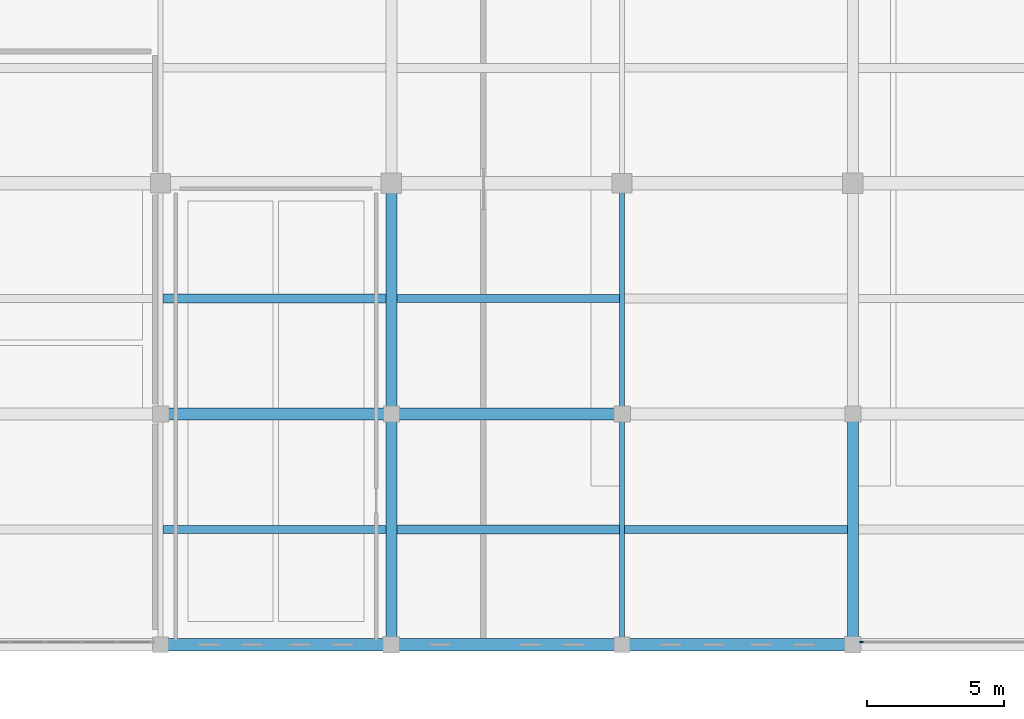
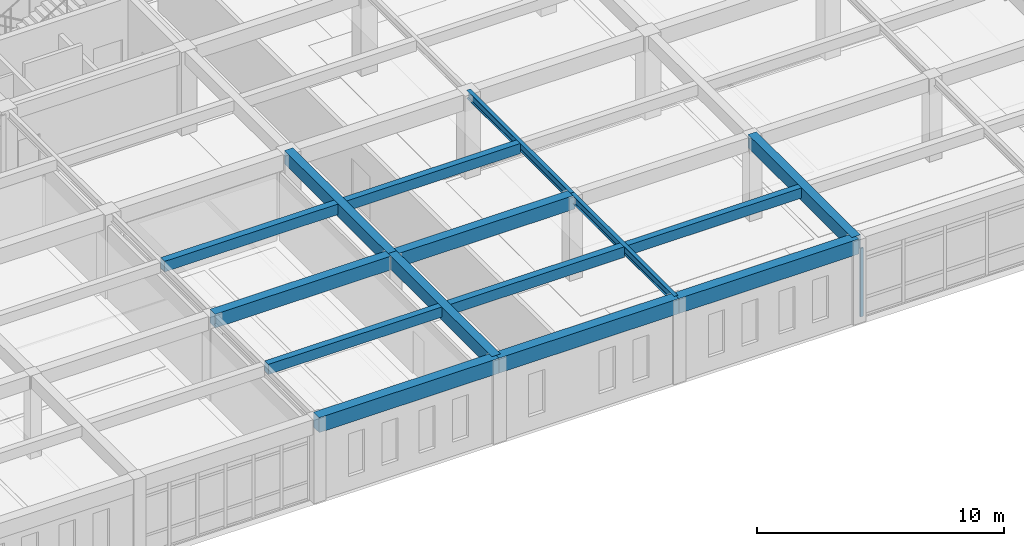
# One storey, part 100 of 192: 15 beams, 1 member, 1 element without a shape of its own.
"""IFC4 building model written with IfcOpenShell, lengths in metres."""

from ifc_helpers import new_model, si_unit, direction, frame, origin, origin_2d, place, context, subcontext, project, spatial, rectangle, i_section, extrude, material, layer, layer_set, material_profile, profile_set, type_object, element, aggregate, save


model = new_model("IFC4")

# Units and contexts
model_context = context("Model", 3, precision=1e-05, world=origin(), true_north=direction((0.0, 1.0)))
body_context = subcontext(model_context, "Body", "Model", "MODEL_VIEW")
ifc_project = project(units=[si_unit("LENGTHUNIT", "METRE"), si_unit("AREAUNIT", "SQUARE_METRE"), si_unit("VOLUMEUNIT", "CUBIC_METRE"), si_unit("PLANEANGLEUNIT", "RADIAN"), si_unit("MASSUNIT", "GRAM", prefix="KILO")], contexts=[model_context])

# Site, building, storey
site_placement = place(None, origin())
site = spatial("IfcSite", under=ifc_project, at=site_placement, CompositionType="ELEMENT")
building_placement = place(site_placement, origin())
building = spatial("IfcBuilding", under=site, at=building_placement, Name="Kveldsbrygga Polytechnic", CompositionType="ELEMENT")
storey_placement = place(building_placement, frame((0.0, 0.0, 5.43994140625)))
storey = spatial("IfcBuildingStorey", under=building, at=storey_placement, Name="L01", CompositionType="ELEMENT", Elevation=5.43994140625)

# Beams
ifc_material_1 = material(Name="Concrete C35/45", Category="concrete")
ifc_material_profile_1 = material_profile(ifc_material_1, rectangle(XDim=0.39990234375, YDim=0.64990234375, at=origin_2d()), Name="RC 400x650")
ifc_profile_set_1 = profile_set([ifc_material_profile_1], Name="Concrete C35/45")
beam_type_1 = type_object("IfcBeamType", Name="BM-RC-400x650", PredefinedType="BEAM", material=ifc_profile_set_1)
beam_1_placement = place(storey_placement, frame((134.39990234375, 0.0, 3.795166015625), z_axis=(0.0, 1.0, 0.0), x_axis=(-1.0, 0.0, 0.0)))
element("IfcBeam", 1, at=beam_1_placement, inside=storey, type_object=beam_type_1, Name="Primary Beam BMY-L01-16-00to01", PredefinedType="BEAM", context=body_context, shape_type="SweptSolid", body=[
    extrude(rectangle(XDim=0.39990234375, YDim=0.64990234375, at=origin_2d()), origin(), (0.0, 0.0, 1.0), 8.39990234375),
])
beam_2_placement = place(storey_placement, frame((134.39990234375, 8.39990234375, 3.795166015625), z_axis=(0.0, 1.0, 0.0), x_axis=(-1.0, 0.0, 0.0)))
element("IfcBeam", 2, at=beam_2_placement, inside=storey, type_object=beam_type_1, Name="Primary Beam BMY-L01-16-01to02", PredefinedType="BEAM", context=body_context, shape_type="SweptSolid", body=[
    extrude(rectangle(XDim=0.39990234375, YDim=0.64990234375, at=origin_2d()), origin(), (0.0, 0.0, 1.0), 8.400146484375),
])
beam_3_placement = place(storey_placement, frame((151.199951171875, 0.0, 3.795166015625), z_axis=(0.0, 1.0, 0.0), x_axis=(-1.0, 0.0, 0.0)))
element("IfcBeam", 3, at=beam_3_placement, inside=storey, type_object=beam_type_1, Name="Primary Beam BMY-L01-18-00to01", PredefinedType="BEAM", context=body_context, shape_type="SweptSolid", body=[
    extrude(rectangle(XDim=0.39990234375, YDim=0.64990234375, at=origin_2d()), origin(), (0.0, 0.0, 1.0), 8.39990234375),
])
ifc_material_profile_2 = material_profile(ifc_material_1, rectangle(XDim=0.419921875, YDim=0.679931640625, at=origin_2d()), Name="RC 420x680")
ifc_profile_set_2 = profile_set([ifc_material_profile_2], Name="Concrete C35/45")
beam_type_2 = type_object("IfcBeamType", Name="BM-RC-420x680", PredefinedType="BEAM", material=ifc_profile_set_2)
beam_4_placement = place(storey_placement, frame((126.0, 8.39990234375, 3.780029296875), z_axis=(1.0, 0.0, 0.0), x_axis=(0.0, 1.0, 0.0)))
element("IfcBeam", 4, at=beam_4_placement, inside=storey, type_object=beam_type_2, Name="Primary Beam BMX-L01-15to16-01", PredefinedType="BEAM", context=body_context, shape_type="SweptSolid", body=[
    extrude(rectangle(XDim=0.419921875, YDim=0.679931640625, at=origin_2d()), origin(), (0.0, 0.0, 1.0), 8.39990234375),
])
beam_5_placement = place(storey_placement, frame((134.39990234375, 8.39990234375, 3.780029296875), z_axis=(1.0, 0.0, 0.0), x_axis=(0.0, 1.0, 0.0)))
element("IfcBeam", 5, at=beam_5_placement, inside=storey, type_object=beam_type_2, Name="Primary Beam BMX-L01-16to17-01", PredefinedType="BEAM", context=body_context, shape_type="SweptSolid", body=[
    extrude(rectangle(XDim=0.419921875, YDim=0.679931640625, at=origin_2d()), origin(), (0.0, 0.0, 1.0), 8.400146484375),
])
ifc_material_profile_3 = material_profile(ifc_material_1, rectangle(XDim=0.4599609375, YDim=0.739990234375, at=origin_2d()), Name="RC 460x740")
ifc_profile_set_3 = profile_set([ifc_material_profile_3], Name="Concrete C35/45")
beam_type_3 = type_object("IfcBeamType", Name="BM-RC-460x740", PredefinedType="BEAM", material=ifc_profile_set_3)
beam_6_placement = place(storey_placement, frame((126.0, 0.0, 3.75), z_axis=(1.0, 0.0, 0.0), x_axis=(0.0, 1.0, 0.0)))
element("IfcBeam", 6, at=beam_6_placement, inside=storey, type_object=beam_type_3, Name="Primary Beam BMX-L01-15to16-00", PredefinedType="BEAM", context=body_context, shape_type="SweptSolid", body=[
    extrude(rectangle(XDim=0.4599609375, YDim=0.739990234375, at=origin_2d()), origin(), (0.0, 0.0, 1.0), 8.39990234375),
])
beam_7_placement = place(storey_placement, frame((134.39990234375, 0.0, 3.75), z_axis=(1.0, 0.0, 0.0), x_axis=(0.0, 1.0, 0.0)))
element("IfcBeam", 7, at=beam_7_placement, inside=storey, type_object=beam_type_3, Name="Primary Beam BMX-L01-16to17-00", PredefinedType="BEAM", context=body_context, shape_type="SweptSolid", body=[
    extrude(rectangle(XDim=0.4599609375, YDim=0.739990234375, at=origin_2d()), origin(), (0.0, 0.0, 1.0), 8.400146484375),
])
beam_8_placement = place(storey_placement, frame((142.800048828125, 0.0, 3.75), z_axis=(1.0, 0.0, 0.0), x_axis=(0.0, 1.0, 0.0)))
element("IfcBeam", 8, at=beam_8_placement, inside=storey, type_object=beam_type_3, Name="Primary Beam BMX-L01-17to18-00", PredefinedType="BEAM", context=body_context, shape_type="SweptSolid", body=[
    extrude(rectangle(XDim=0.4599609375, YDim=0.739990234375, at=origin_2d()), origin(), (0.0, 0.0, 1.0), 8.39990234375),
])
ifc_material_2 = material(Name="Steel S355", Category="steel")
ifc_material_profile_4 = material_profile(ifc_material_2, i_section(OverallWidth=0.179931640625, OverallDepth=0.39990234375, WebThickness=0.008544921875, FlangeThickness=0.013427734375, FilletRadius=0.02099609375, at=origin_2d()), Name="IPE 400")
ifc_profile_set_4 = profile_set([ifc_material_profile_4], Name="Steel S355")
beam_type_4 = type_object("IfcBeamType", Name="BM-STL-IPE400", PredefinedType="BEAM", material=ifc_profile_set_4)
beam_9_placement = place(storey_placement, frame((142.800048828125, 0.0, 3.920166015625), z_axis=(0.0, 1.0, 0.0), x_axis=(-1.0, 0.0, 0.0)))
element("IfcBeam", 9, at=beam_9_placement, inside=storey, type_object=beam_type_4, Name="Primary Beam BMY-L01-17-00to01", PredefinedType="BEAM", context=body_context, shape_type="SweptSolid", body=[
    extrude(i_section(OverallWidth=0.179931640625, OverallDepth=0.39990234375, WebThickness=0.008544921875, FlangeThickness=0.013427734375, FilletRadius=0.02099609375, at=origin_2d()), origin(), (0.0, 0.0, 1.0), 8.39990234375),
])
beam_10_placement = place(storey_placement, frame((142.800048828125, 8.39990234375, 3.920166015625), z_axis=(0.0, 1.0, 0.0), x_axis=(-1.0, 0.0, 0.0)))
element("IfcBeam", 10, at=beam_10_placement, inside=storey, type_object=beam_type_4, Name="Primary Beam BMY-L01-17-01to02", PredefinedType="BEAM", context=body_context, shape_type="SweptSolid", body=[
    extrude(i_section(OverallWidth=0.179931640625, OverallDepth=0.39990234375, WebThickness=0.008544921875, FlangeThickness=0.013427734375, FilletRadius=0.02099609375, at=origin_2d()), origin(), (0.0, 0.0, 1.0), 8.400146484375),
])

# Curtain wall, member
ifc_material_3 = material(Name="Anodised aluminium AW-6060", Category="aluminium")
ifc_layer = layer(ifc_material_3, 0.199951171875)
ifc_layer_set = layer_set([ifc_layer], Name="Anodised aluminium AW-6060")
curtain_wall_type = type_object("IfcCurtainWallType", Name="CW-LANC-E", PredefinedType="USERDEFINED", material=ifc_layer_set)
curtain_wall_placement = place(storey_placement, origin())
curtain_wall = element("IfcCurtainWall", 11, at=curtain_wall_placement, inside=storey, type_object=curtain_wall_type, Name="Curtain Wall CW-L01-X-18-00", ObjectType="UNITISED CURTAIN WALL", PredefinedType="USERDEFINED")
ifc_material_profile_5 = material_profile(ifc_material_3, rectangle(XDim=0.06005859375, YDim=0.139892578125, at=origin_2d()), Name="ALU 60x140")
ifc_profile_set_5 = profile_set([ifc_material_profile_5], Name="Anodised aluminium AW-6060")
member_type = type_object("IfcMemberType", Name="CW-MUL-140", PredefinedType="MULLION", material=ifc_profile_set_5)
member_placement = place(storey_placement, frame((151.514892578125, 0.10009765625, 0.0), z_axis=(0.0, 0.0, 1.0), x_axis=(0.0, 1.0, 0.0)))
member = element("IfcMember", 12, at=member_placement, type_object=member_type, Name="CW-05 mullion 1", PredefinedType="MULLION", context=body_context, shape_type="SweptSolid", body=[
    extrude(rectangle(XDim=0.06005859375, YDim=0.139892578125, at=origin_2d()), origin(), (0.0, 0.0, 1.0), 3.380126953125),
])
aggregate(curtain_wall, [member])

# Beams
ifc_material_profile_6 = material_profile(ifc_material_1, rectangle(XDim=0.300048828125, YDim=0.5, at=origin_2d()), Name="RC 300x500")
ifc_profile_set_6 = profile_set([ifc_material_profile_6], Name="Concrete C35/45")
beam_type_5 = type_object("IfcBeamType", Name="JST-RC-300x500", PredefinedType="JOIST", material=ifc_profile_set_6)
for number, where, z_axis, x_axis, name in (
    (13, (126.090087890625, 4.199951171875, 3.8701171875), (1.0, 0.0, 0.0), (0.0, 1.0, 0.0), "Secondary Joist JST-L01-15-00"),
    (14, (134.60009765625, 12.60009765625, 3.8701171875), (1.0, 0.0, 0.0), (0.0, 1.0, 0.0), "Secondary Joist JST-L01-16-01"),
):
    element("IfcBeam", number, at=place(storey_placement, frame(where, z_axis=z_axis, x_axis=x_axis)), inside=storey, type_object=beam_type_5, Name=name, PredefinedType="JOIST", context=body_context, shape_type="SweptSolid", body=[
        extrude(rectangle(XDim=0.300048828125, YDim=0.5, at=origin_2d()), origin(), (0.0, 0.0, 1.0), 8.10986328125),
    ])
beam_11_placement = place(storey_placement, frame((142.889892578125, 4.199951171875, 3.8701171875), z_axis=(1.0, 0.0, 0.0), x_axis=(0.0, 1.0, 0.0)))
element("IfcBeam", 15, at=beam_11_placement, inside=storey, type_object=beam_type_5, Name="Secondary Joist JST-L01-17-00", PredefinedType="JOIST", context=body_context, shape_type="SweptSolid", body=[
    extrude(rectangle(XDim=0.300048828125, YDim=0.5, at=origin_2d()), origin(), (0.0, 0.0, 1.0), 8.110107421875),
])
ifc_material_profile_7 = material_profile(ifc_material_1, rectangle(XDim=0.320068359375, YDim=0.52001953125, at=origin_2d()), Name="RC 320x520")
ifc_profile_set_7 = profile_set([ifc_material_profile_7], Name="Concrete C35/45")
beam_type_6 = type_object("IfcBeamType", Name="JST-RC-320x520", PredefinedType="JOIST", material=ifc_profile_set_7)
for number, where, z_axis, x_axis, name in (
    (16, (126.090087890625, 12.60009765625, 3.860107421875), (1.0, 0.0, 0.0), (0.0, 1.0, 0.0), "Secondary Joist JST-L01-15-01"),
    (17, (134.60009765625, 4.199951171875, 3.860107421875), (1.0, 0.0, 0.0), (0.0, 1.0, 0.0), "Secondary Joist JST-L01-16-00"),
):
    element("IfcBeam", number, at=place(storey_placement, frame(where, z_axis=z_axis, x_axis=x_axis)), inside=storey, type_object=beam_type_6, Name=name, PredefinedType="JOIST", context=body_context, shape_type="SweptSolid", body=[
        extrude(rectangle(XDim=0.320068359375, YDim=0.52001953125, at=origin_2d()), origin(), (0.0, 0.0, 1.0), 8.10986328125),
    ])

save(model, "model.ifc")
